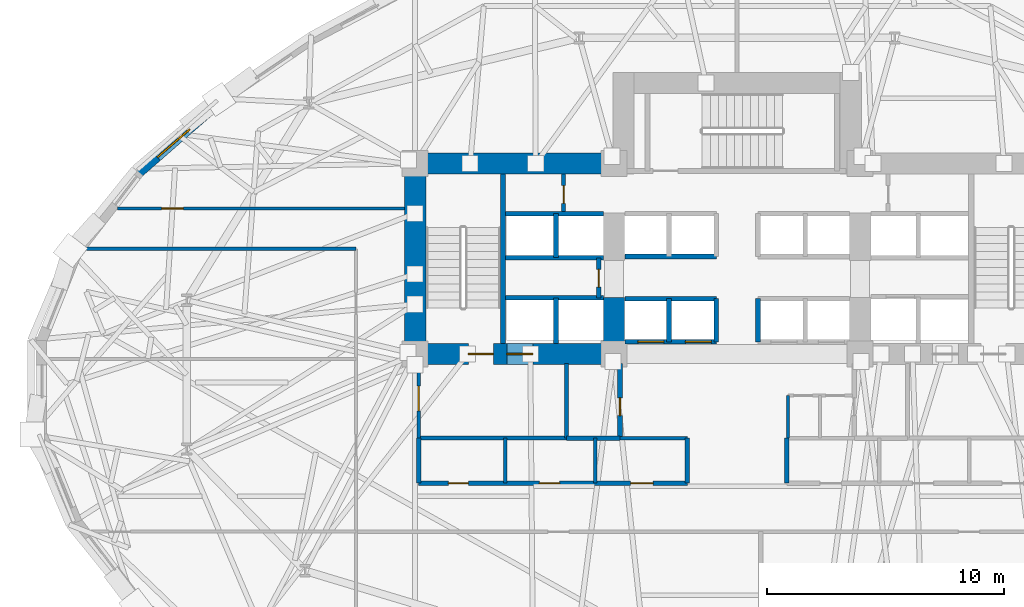
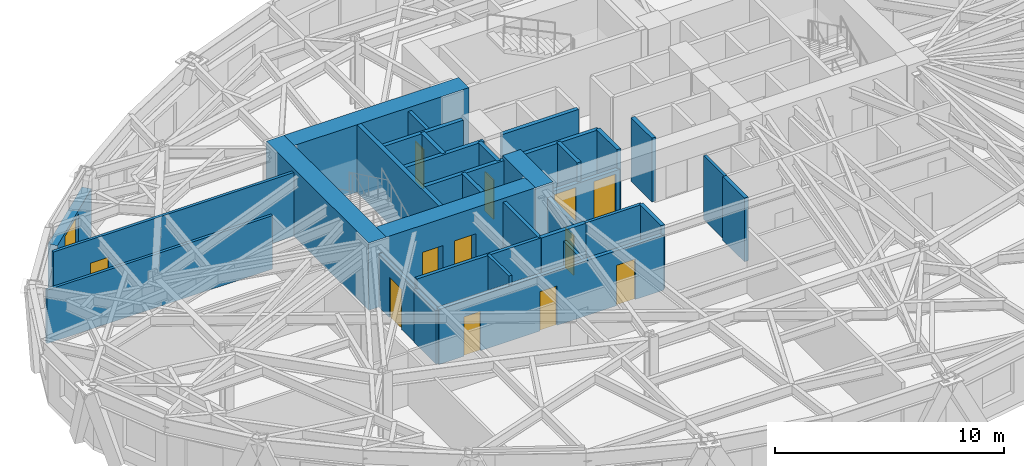
# One storey, part 7 of 14: 34 walls, 12 doors, 1 window, 13 openings.
"""IFC4 building model written with IfcOpenShell, lengths in metres."""

from ifc_helpers import new_model, si_unit, direction, frame, frame_2d, origin, place, context, subcontext, project, spatial, rectangle, extrude, material, layer, layer_set, type_object, element, fill, save


model = new_model("IFC4")

# Units and contexts
model_context = context("Model", 3, precision=1e-05, world=origin(), true_north=direction((0.0, 1.0)))
body_context = subcontext(model_context, "Body", "Model", "MODEL_VIEW")
ifc_project = project(units=[si_unit("LENGTHUNIT", "METRE"), si_unit("AREAUNIT", "SQUARE_METRE"), si_unit("VOLUMEUNIT", "CUBIC_METRE"), si_unit("PLANEANGLEUNIT", "RADIAN"), si_unit("MASSUNIT", "GRAM", prefix="KILO")], contexts=[model_context])

# Site, building, storey
site_placement = place(None, origin())
site = spatial("IfcSite", under=ifc_project, at=site_placement, CompositionType="ELEMENT")
building_placement = place(site_placement, origin())
building = spatial("IfcBuilding", under=site, at=building_placement, Name="Keldmark Tower", CompositionType="ELEMENT")
storey_placement = place(building_placement, frame((0.0, 0.0, 66.60009765625)))
storey = spatial("IfcBuildingStorey", under=building, at=storey_placement, Name="L17", CompositionType="ELEMENT", Elevation=66.60009765625)

# Wall, opening, door
ifc_material_1 = material(Name="Acoustic Double-Layer Gypsum Corridor Partition", Category="gypsum")
ifc_layer_1 = layer(ifc_material_1, 0.139892578125)
ifc_layer_set_1 = layer_set([ifc_layer_1], Name="Acoustic Double-Layer Gypsum Corridor Partition")
wall_type_1 = type_object("IfcWallType", Name="Acoustic Corridor Partition 140 mm", PredefinedType="PARTITIONING", material=ifc_layer_set_1)
wall_1_placement = place(storey_placement, frame((-26.167724609375, 7.550048828125, 0.0), z_axis=(0.0, 0.0, 1.0), x_axis=(1.0, 0.0, 0.0)))
wall_1 = element("IfcWall", 1, at=wall_1_placement, inside=storey, type_object=wall_type_1, Name="L17 Acoustic Corridor Partition 140 mm COR-WN-CAP", PredefinedType="PARTITIONING", context=body_context, shape_type="SweptSolid", body=[
    extrude(rectangle(XDim=12.11767578125, YDim=0.139892578125, at=frame_2d((6.058837890625, 0.0))), origin(), (0.0, 0.0, 1.0), 3.39990234375),
])
opening_1_placement = place(wall_1_placement, frame((1.85595703125, 0.0, 0.0)))
opening_1 = element("IfcOpeningElement", 2, at=opening_1_placement, cuts=wall_1, Name="Opening D-EX092", PredefinedType="OPENING", context=body_context, shape_type="SweptSolid", body=[
    extrude(rectangle(XDim=0.919921875, YDim=2.14990234375, at=frame_2d((0.4599609375, 1.074951171875))), frame((0.0, 0.079833984375, 0.0), z_axis=(0.0, -1.0, 0.0), x_axis=(1.0, 0.0, 0.0)), (0.0, 0.0, 1.0), 0.159912109375),
])
ifc_material_2 = material(Name="Flush American Ash Executive Office Door", Category="wood")
door_type_1 = type_object("IfcDoorType", Name="Executive Office Door 920x2150", OperationType="NOTDEFINED", PredefinedType="DOOR", material=ifc_material_2)
door_1_placement = place(opening_1_placement, origin())
door_1 = element("IfcDoor", 3, at=door_1_placement, inside=storey, type_object=door_type_1, Name="L17 Executive Office Door 920x2150 D-NRNW-L17", OperationType="SINGLE_SWING_LEFT", OverallHeight=2.14990234375, OverallWidth=0.919921875, PredefinedType="DOOR", context=body_context, shape_type="SweptSolid", body=[
    extrude(rectangle(XDim=0.919921875, YDim=2.14990234375, at=frame_2d((0.4599609375, 1.074951171875))), frame((0.0, 0.02490234375, 0.0), z_axis=(0.0, -1.0, 0.0), x_axis=(1.0, 0.0, 0.0)), (0.0, 0.0, 1.0), 0.050048828125),
])
fill(opening_1, door_1)

# Wall
wall_2_placement = place(storey_placement, frame((-27.478759765625, 5.85009765625, 0.0), z_axis=(0.0, 0.0, 1.0), x_axis=(1.0, 0.0, 0.0)))
element("IfcWall", 4, at=wall_2_placement, inside=storey, type_object=wall_type_1, Name="L17 Acoustic Corridor Partition 140 mm COR-WA-S", PredefinedType="PARTITIONING", context=body_context, shape_type="SweptSolid", body=[
    extrude(rectangle(XDim=11.378662109375, YDim=0.139892578125, at=frame_2d((5.689453125, 0.0))), origin(), (0.0, 0.0, 1.0), 2.852783203125),
])

# Wall, openings, doors
ifc_material_3 = material(Name="Heavy Acoustic Plumbing Chase Gypsum Assembly", Category="gypsum")
ifc_layer_2 = layer(ifc_material_3, 0.18994140625)
ifc_layer_set_2 = layer_set([ifc_layer_2], Name="Heavy Acoustic Plumbing Chase Gypsum Assembly")
wall_type_2 = type_object("IfcWallType", Name="Heavy Wet Wall 190 mm", PredefinedType="PLUMBINGWALL", material=ifc_layer_set_2)
wall_3_placement = place(storey_placement, frame((-13.449951171875, -4.050048828125, 0.0), z_axis=(0.0, 0.0, 1.0), x_axis=(1.0, 0.0, 0.0)))
wall_3 = element("IfcWall", 5, at=wall_3_placement, inside=storey, type_object=wall_type_2, Name="L17 Heavy Wet Wall 190 mm SPK-W-S", PredefinedType="PLUMBINGWALL", context=body_context, shape_type="SweptSolid", body=[
    extrude(rectangle(XDim=11.349853515625, YDim=0.18994140625, at=frame_2d((5.6748046875, 0.0))), origin(), (0.0, 0.0, 1.0), 2.932861328125),
])
opening_2_placement = place(wall_3_placement, frame((1.25, 0.0, 0.0)))
opening_2 = element("IfcOpeningElement", 6, at=opening_2_placement, cuts=wall_3, Name="Opening D-WC085", PredefinedType="OPENING", context=body_context, shape_type="SweptSolid", body=[
    extrude(rectangle(XDim=0.85009765625, YDim=2.10009765625, at=frame_2d((0.425048828125, 1.050048828125))), frame((0.0, 0.10498046875, 0.0), z_axis=(0.0, -1.0, 0.0), x_axis=(1.0, 0.0, 0.0)), (0.0, 0.0, 1.0), 0.2099609375),
])
opening_3_placement = place(wall_3_placement, frame((5.10009765625, 0.0, 0.0)))
opening_3 = element("IfcOpeningElement", 7, at=opening_3_placement, cuts=wall_3, Name="Opening D-WC085", PredefinedType="OPENING", context=body_context, shape_type="SweptSolid", body=[
    extrude(rectangle(XDim=0.85009765625, YDim=2.10009765625, at=frame_2d((0.425048828125, 1.050048828125))), frame((0.0, 0.10498046875, 0.0), z_axis=(0.0, -1.0, 0.0), x_axis=(1.0, 0.0, 0.0)), (0.0, 0.0, 1.0), 0.2099609375),
])
opening_4_placement = place(wall_3_placement, frame((8.949951171875, 0.0, 0.0)))
opening_4 = element("IfcOpeningElement", 8, at=opening_4_placement, cuts=wall_3, Name="Opening D-AWC95", PredefinedType="OPENING", context=body_context, shape_type="SweptSolid", body=[
    extrude(rectangle(XDim=0.949951171875, YDim=2.14990234375, at=frame_2d((0.47509765625, 1.074951171875))), frame((0.0, 0.10498046875, 0.0), z_axis=(0.0, -1.0, 0.0), x_axis=(1.0, 0.0, 0.0)), (0.0, 0.0, 1.0), 0.2099609375),
])
ifc_material_4 = material(Name="Painted Solid-Core Architectural Wood", Category="wood")
door_type_2 = type_object("IfcDoorType", Name="Accessible WC Door 950x2150", OperationType="NOTDEFINED", PredefinedType="DOOR", material=ifc_material_4)
door_2_placement = place(opening_4_placement, origin())
door_2 = element("IfcDoor", 9, at=door_2_placement, inside=storey, type_object=door_type_2, Name="L17 Accessible WC Door 950x2150 D-SPKW3-L17", OperationType="SINGLE_SWING_LEFT", OverallHeight=2.14990234375, OverallWidth=0.949951171875, PredefinedType="DOOR", context=body_context, shape_type="SweptSolid", body=[
    extrude(rectangle(XDim=0.949951171875, YDim=2.14990234375, at=frame_2d((0.47509765625, 1.074951171875))), frame((0.0, 0.02490234375, 0.0), z_axis=(0.0, -1.0, 0.0), x_axis=(1.0, 0.0, 0.0)), (0.0, 0.0, 1.0), 0.050048828125),
])
fill(opening_4, door_2)
ifc_material_5 = material(Name="Moisture-Sealed Painted Wood", Category="wood")
door_type_3 = type_object("IfcDoorType", Name="WC Door 850x2100", OperationType="NOTDEFINED", PredefinedType="DOOR", material=ifc_material_5)
door_3_placement = place(opening_2_placement, origin())
door_3 = element("IfcDoor", 10, at=door_3_placement, inside=storey, type_object=door_type_3, Name="L17 WC Door 850x2100 D-SPKW1-L17", OperationType="SINGLE_SWING_LEFT", OverallHeight=2.10009765625, OverallWidth=0.85009765625, PredefinedType="DOOR", context=body_context, shape_type="SweptSolid", body=[
    extrude(rectangle(XDim=0.85009765625, YDim=2.10009765625, at=frame_2d((0.425048828125, 1.050048828125))), frame((0.0, 0.02490234375, 0.0), z_axis=(0.0, -1.0, 0.0), x_axis=(1.0, 0.0, 0.0)), (0.0, 0.0, 1.0), 0.050048828125),
])
fill(opening_2, door_3)
door_4_placement = place(opening_3_placement, origin())
door_4 = element("IfcDoor", 11, at=door_4_placement, inside=storey, type_object=door_type_3, Name="L17 WC Door 850x2100 D-SPKW2-L17", OperationType="SINGLE_SWING_RIGHT", OverallHeight=2.10009765625, OverallWidth=0.85009765625, PredefinedType="DOOR", context=body_context, shape_type="SweptSolid", body=[
    extrude(rectangle(XDim=0.85009765625, YDim=2.10009765625, at=frame_2d((0.425048828125, 1.050048828125))), frame((0.0, 0.02490234375, 0.0), z_axis=(0.0, -1.0, 0.0), x_axis=(1.0, 0.0, 0.0)), (0.0, 0.0, 1.0), 0.050048828125),
])
fill(opening_3, door_4)

# Walls
wall_4_placement = place(storey_placement, frame((-13.449951171875, -4.050048828125, 0.0), z_axis=(0.0, 0.0, 1.0), x_axis=(0.0, 1.0, 0.0)))
element("IfcWall", 12, at=wall_4_placement, inside=storey, type_object=wall_type_2, Name="L17 Heavy Wet Wall 190 mm SPK-W-W", PredefinedType="PLUMBINGWALL", context=body_context, shape_type="SweptSolid", body=[
    extrude(rectangle(XDim=1.900146484375, YDim=0.18994140625, at=frame_2d((0.9501953125, 0.0))), origin(), (0.0, 0.0, 1.0), 2.852783203125),
])
for number, where, z_axis, x_axis, name in (
    (13, (-2.10009765625, -4.050048828125, 0.0), (0.0, 0.0, 1.0), (0.0, 1.0, 0.0), "L17 Heavy Wet Wall 190 mm SPK-W-E"),
    (14, (2.10009765625, -4.050048828125, 0.0), (0.0, 0.0, 1.0), (0.0, 1.0, 0.0), "L17 Heavy Wet Wall 190 mm SPK-E-W"),
):
    element("IfcWall", number, at=place(storey_placement, frame(where, z_axis=z_axis, x_axis=x_axis)), inside=storey, type_object=wall_type_2, Name=name, PredefinedType="PLUMBINGWALL", context=body_context, shape_type="SweptSolid", body=[
        extrude(rectangle(XDim=1.900146484375, YDim=0.18994140625, at=frame_2d((0.9501953125, 0.0))), origin(), (0.0, 0.0, 1.0), 3.39990234375),
    ])
ifc_material_6 = material(Name="Acoustic Gypsum Board Interior Partition", Category="gypsum")
ifc_layer_3 = layer(ifc_material_6, 0.1298828125)
ifc_layer_set_3 = layer_set([ifc_layer_3], Name="Acoustic Gypsum Board Interior Partition")
wall_type_3 = type_object("IfcWallType", Name="Interior Partition 130 mm", PredefinedType="PARTITIONING", material=ifc_layer_set_3)
wall_5_placement = place(storey_placement, frame((2.14990234375, -2.14990234375, 0.0), z_axis=(0.0, 0.0, 1.0), x_axis=(0.0, 1.0, 0.0)))
element("IfcWall", 15, at=wall_5_placement, inside=storey, type_object=wall_type_3, Name="L17 Interior Partition 130 mm CSC-E-W", PredefinedType="PARTITIONING", context=body_context, shape_type="SweptSolid", body=[
    extrude(rectangle(XDim=1.7998046875, YDim=0.1298828125, at=frame_2d((0.89990234375, 0.0))), origin(), (0.0, 0.0, 1.0), 3.39990234375),
])
ifc_material_7 = material(Name="Concrete C70/85", Category="concrete")
ifc_layer_4 = layer(ifc_material_7, 0.89990234375)
ifc_layer_set_4 = layer_set([ifc_layer_4], Name="Concrete C70/85")
wall_type_4 = type_object("IfcWallType", Name="Lower Core Shear Wall 900 mm", PredefinedType="SHEAR", material=ifc_layer_set_4)
wall_6_placement = place(storey_placement, frame((-13.60009765625, 0.949951171875, 0.0), z_axis=(0.0, 0.0, 1.0), x_axis=(0.0, 1.0, 0.0)))
element("IfcWall", 16, at=wall_6_placement, inside=storey, type_object=wall_type_4, Name="L17 West Core Outer Shear Wall", PredefinedType="SHEAR", context=body_context, shape_type="SweptSolid", body=[
    extrude(rectangle(XDim=8.949951171875, YDim=0.89990234375, at=frame_2d((4.47509765625, 0.0))), origin(), (0.0, 0.0, 1.0), 3.599853515625),
])
wall_7_placement = place(storey_placement, frame((-14.050048828125, 9.449951171875, 0.0), z_axis=(0.0, 0.0, 1.0), x_axis=(1.0, 0.0, 0.0)))
element("IfcWall", 17, at=wall_7_placement, inside=storey, type_object=wall_type_4, Name="L17 West Core North Shear Wall", PredefinedType="SHEAR", context=body_context, shape_type="SweptSolid", body=[
    extrude(rectangle(XDim=9.699951171875, YDim=0.89990234375, at=frame_2d((4.85009765625, 0.0))), origin(), (0.0, 0.0, 1.0), 3.599853515625),
])

# Wall, openings, doors
wall_8_placement = place(storey_placement, frame((-4.75, 1.39990234375, 0.0), z_axis=(0.0, 0.0, 1.0), x_axis=(-1.0, 0.0, 0.0)))
wall_8 = element("IfcWall", 18, at=wall_8_placement, inside=storey, type_object=wall_type_4, Name="L17 West Core South Shear Wall", PredefinedType="SHEAR", context=body_context, shape_type="SweptSolid", body=[
    extrude(rectangle(XDim=9.300048828125, YDim=0.89990234375, at=frame_2d((4.64990234375, 0.0))), origin(), (0.0, 0.0, 1.0), 3.599853515625),
])
opening_5_placement = place(wall_8_placement, frame((5.550048828125, 0.0, 0.0)))
opening_5 = element("IfcOpeningElement", 19, at=opening_5_placement, cuts=wall_8, Name="Opening D-ST105", PredefinedType="OPENING", context=body_context, shape_type="SweptSolid", body=[
    extrude(rectangle(XDim=1.050048828125, YDim=2.14990234375, at=frame_2d((0.52490234375, 1.074951171875))), frame((0.0, 0.4599609375, 0.0), z_axis=(0.0, -1.0, 0.0), x_axis=(1.0, 0.0, 0.0)), (0.0, 0.0, 1.0), 0.919921875),
])
opening_6_placement = place(wall_8_placement, frame((3.8798828125, 0.0, 0.0)))
opening_6 = element("IfcOpeningElement", 20, at=opening_6_placement, cuts=wall_8, Name="Opening LD-110", PredefinedType="OPENING", context=body_context, shape_type="SweptSolid", body=[
    extrude(rectangle(XDim=1.10009765625, YDim=2.199951171875, at=frame_2d((0.550048828125, 1.10009765625))), frame((0.0, 0.4599609375, 0.0), z_axis=(0.0, -1.0, 0.0), x_axis=(1.0, 0.0, 0.0)), (0.0, 0.0, 1.0), 0.919921875),
])
ifc_material_8 = material(Name="Brushed Bronze Hoistway Sliding Leaf", Category="metal")
door_type_4 = type_object("IfcDoorType", Name="Lift Landing Sliding Door 1100x2200", OperationType="SLIDING_TO_LEFT", PredefinedType="DOOR", material=ifc_material_8)
door_5_placement = place(opening_6_placement, origin())
door_5 = element("IfcDoor", 21, at=door_5_placement, inside=storey, type_object=door_type_4, Name="L17 Lift Landing Sliding Door 1100x2200 LD-EL-FS1-L17", OperationType="SLIDING_TO_LEFT", OverallHeight=2.199951171875, OverallWidth=1.10009765625, PredefinedType="DOOR", context=body_context, shape_type="SweptSolid", body=[
    extrude(rectangle(XDim=1.10009765625, YDim=2.199951171875, at=frame_2d((0.550048828125, 1.10009765625))), frame((0.0, 0.02490234375, 0.0), z_axis=(0.0, -1.0, 0.0), x_axis=(1.0, 0.0, 0.0)), (0.0, 0.0, 1.0), 0.050048828125),
])
fill(opening_6, door_5)
ifc_material_9 = material(Name="Hollow Metal Fire-Rated Door Assembly", Category="metal")
door_type_5 = type_object("IfcDoorType", Name="Stair Fire Door 1050x2150", OperationType="NOTDEFINED", PredefinedType="DOOR", material=ifc_material_9)
door_6_placement = place(opening_5_placement, origin())
door_6 = element("IfcDoor", 22, at=door_6_placement, inside=storey, type_object=door_type_5, Name="L17 Stair Fire Door 1050x2150 D-ST1-L17", OperationType="SINGLE_SWING_RIGHT", OverallHeight=2.14990234375, OverallWidth=1.050048828125, PredefinedType="DOOR", context=body_context, shape_type="SweptSolid", body=[
    extrude(rectangle(XDim=1.050048828125, YDim=2.14990234375, at=frame_2d((0.52490234375, 1.074951171875))), frame((0.0, 0.02490234375, 0.0), z_axis=(0.0, -1.0, 0.0), x_axis=(1.0, 0.0, 0.0)), (0.0, 0.0, 1.0), 0.050048828125),
])
fill(opening_5, door_6)

# Walls
wall_9_placement = place(storey_placement, frame((-5.199951171875, 0.949951171875, 0.0), z_axis=(0.0, 0.0, 1.0), x_axis=(0.0, 1.0, 0.0)))
element("IfcWall", 23, at=wall_9_placement, inside=storey, type_object=wall_type_4, Name="L17 West Core Inner Shear Pier South", PredefinedType="SHEAR", context=body_context, shape_type="SweptSolid", body=[
    extrude(rectangle(XDim=2.85009765625, YDim=0.89990234375, at=frame_2d((1.425048828125, 0.0))), origin(), (0.0, 0.0, 1.0), 3.599853515625),
])
ifc_material_10 = material(Name="Type X Fire-Rated Gypsum Partition Assembly", Category="gypsum")
ifc_layer_5 = layer(ifc_material_10, 0.1650390625)
ifc_layer_set_5 = layer_set([ifc_layer_5], Name="Type X Fire-Rated Gypsum Partition Assembly")
wall_type_5 = type_object("IfcWallType", Name="Rated Partition 165 mm", PredefinedType="PARTITIONING", material=ifc_layer_set_5)
wall_10_placement = place(storey_placement, frame((-13.449951171875, -2.14990234375, 0.0), z_axis=(0.0, 0.0, 1.0), x_axis=(1.0, 0.0, 0.0)))
element("IfcWall", 24, at=wall_10_placement, inside=storey, type_object=wall_type_5, Name="L17 Rated Partition 165 mm FSAE-W-S", PredefinedType="PARTITIONING", context=body_context, shape_type="SweptSolid", body=[
    extrude(rectangle(XDim=6.25, YDim=0.1650390625, at=frame_2d((3.125, 0.0))), origin(), (0.0, 0.0, 1.0), 3.39990234375),
])

# Wall, opening, door
wall_11_placement = place(storey_placement, frame((-13.449951171875, -2.14990234375, 0.0), z_axis=(0.0, 0.0, 1.0), x_axis=(0.0, 1.0, 0.0)))
wall_11 = element("IfcWall", 25, at=wall_11_placement, inside=storey, type_object=wall_type_5, Name="L17 Rated Partition 165 mm FSAE-W-W", PredefinedType="PARTITIONING", context=body_context, shape_type="SweptSolid", body=[
    extrude(rectangle(XDim=3.14990234375, YDim=0.1650390625, at=frame_2d((1.574951171875, 0.0))), origin(), (0.0, 0.0, 1.0), 2.852783203125),
])
opening_7_placement = place(wall_11_placement, frame((1.14990234375, 0.0, 0.0)))
opening_7 = element("IfcOpeningElement", 26, at=opening_7_placement, cuts=wall_11, Name="Opening D-FL105", PredefinedType="OPENING", context=body_context, shape_type="SweptSolid", body=[
    extrude(rectangle(XDim=1.050048828125, YDim=2.14990234375, at=frame_2d((0.52490234375, 1.074951171875))), frame((0.0, 0.092529296875, 0.0), z_axis=(0.0, -1.0, 0.0), x_axis=(1.0, 0.0, 0.0)), (0.0, 0.0, 1.0), 0.18505859375),
])
ifc_material_11 = material(Name="Fire-Rated Mineral-Core Door and Vision Lite", Category="metal")
door_type_6 = type_object("IfcDoorType", Name="Fire Lobby Door 1050x2150", OperationType="NOTDEFINED", PredefinedType="DOOR", material=ifc_material_11)
door_7_placement = place(opening_7_placement, origin())
door_7 = element("IfcDoor", 27, at=door_7_placement, inside=storey, type_object=door_type_6, Name="L17 Fire Lobby Door 1050x2150 D-FSAEW-OUT-L17", OperationType="SINGLE_SWING_LEFT", OverallHeight=2.14990234375, OverallWidth=1.050048828125, PredefinedType="DOOR", context=body_context, shape_type="SweptSolid", body=[
    extrude(rectangle(XDim=1.050048828125, YDim=2.14990234375, at=frame_2d((0.52490234375, 1.074951171875))), frame((0.0, 0.02490234375, 0.0), z_axis=(0.0, -1.0, 0.0), x_axis=(1.0, 0.0, 0.0)), (0.0, 0.0, 1.0), 0.050048828125),
])
fill(opening_7, door_7)

# Wall
wall_12_placement = place(storey_placement, frame((-7.199951171875, -2.14990234375, 0.0), z_axis=(0.0, 0.0, 1.0), x_axis=(0.0, 1.0, 0.0)))
element("IfcWall", 28, at=wall_12_placement, inside=storey, type_object=wall_type_5, Name="L17 Rated Partition 165 mm FSAE-W-E", PredefinedType="PARTITIONING", context=body_context, shape_type="SweptSolid", body=[
    extrude(rectangle(XDim=3.14990234375, YDim=0.1650390625, at=frame_2d((1.574951171875, 0.0))), origin(), (0.0, 0.0, 1.0), 3.39990234375),
])

# Wall, opening, door
wall_13_placement = place(storey_placement, frame((-7.330078125, 7.419921875, 0.0), z_axis=(0.0, 0.0, 1.0), x_axis=(0.0, 1.0, 0.0)))
wall_13 = element("IfcWall", 29, at=wall_13_placement, inside=storey, type_object=wall_type_5, Name="L17 Rated Partition 165 mm CS-NW-E", PredefinedType="PARTITIONING", context=body_context, shape_type="SweptSolid", body=[
    extrude(rectangle(XDim=1.580078125, YDim=0.1650390625, at=frame_2d((0.7900390625, 0.0))), origin(), (0.0, 0.0, 1.0), 3.39990234375),
])
opening_8_placement = place(wall_13_placement, frame((0.35009765625, 0.0, 0.0)))
opening_8 = element("IfcOpeningElement", 30, at=opening_8_placement, cuts=wall_13, Name="Opening D-RS075", PredefinedType="OPENING", context=body_context, shape_type="SweptSolid", body=[
    extrude(rectangle(XDim=0.75, YDim=2.10009765625, at=frame_2d((0.375, 1.050048828125))), frame((0.0, 0.092529296875, 0.0), z_axis=(0.0, -1.0, 0.0), x_axis=(1.0, 0.0, 0.0)), (0.0, 0.0, 1.0), 0.18505859375),
])
ifc_material_12 = material(Name="Galvanized Fire-Rated Access Leaf", Category="metal")
door_type_7 = type_object("IfcDoorType", Name="Riser Access Door 750x2100", OperationType="NOTDEFINED", PredefinedType="DOOR", material=ifc_material_12)
door_8_placement = place(opening_8_placement, origin())
door_8 = element("IfcDoor", 31, at=door_8_placement, inside=storey, type_object=door_type_7, Name="L17 Riser Access Door 750x2100 D-CSNW1-L17", OperationType="SINGLE_SWING_RIGHT", OverallHeight=2.10009765625, OverallWidth=0.75, PredefinedType="DOOR", context=body_context, shape_type="SweptSolid", body=[
    extrude(rectangle(XDim=0.75, YDim=2.10009765625, at=frame_2d((0.375, 1.050048828125))), frame((0.0, 0.02490234375, 0.0), z_axis=(0.0, -1.0, 0.0), x_axis=(1.0, 0.0, 0.0)), (0.0, 0.0, 1.0), 0.050048828125),
])
fill(opening_8, door_8)

# Wall
ifc_material_13 = material(Name="Fire-Resistant Type X Gypsum Shaftliner Coreboard", Category="gypsum")
ifc_layer_6 = layer(ifc_material_13, 0.199951171875)
ifc_layer_set_6 = layer_set([ifc_layer_6], Name="Fire-Resistant Type X Gypsum Shaftliner Coreboard")
wall_type_6 = type_object("IfcWallType", Name="Shaft Wall 200 mm", PredefinedType="SOLIDWALL", material=ifc_layer_set_6)
wall_14_placement = place(storey_placement, frame((-7.199951171875, -2.14990234375, 0.0), z_axis=(0.0, 0.0, 1.0), x_axis=(1.0, 0.0, 0.0)))
element("IfcWall", 32, at=wall_14_placement, inside=storey, type_object=wall_type_6, Name="L17 Shaft Wall 200 mm RIS-SW-S", PredefinedType="SOLIDWALL", context=body_context, shape_type="SweptSolid", body=[
    extrude(rectangle(XDim=2.25, YDim=0.199951171875, at=frame_2d((1.125, 0.0))), origin(), (0.0, 0.0, 1.0), 3.39990234375),
])

# Wall, opening, door
wall_15_placement = place(storey_placement, frame((-4.949951171875, -2.14990234375, 0.0), z_axis=(0.0, 0.0, 1.0), x_axis=(0.0, 1.0, 0.0)))
wall_15 = element("IfcWall", 33, at=wall_15_placement, inside=storey, type_object=wall_type_6, Name="L17 Shaft Wall 200 mm RIS-SW-E", PredefinedType="SOLIDWALL", context=body_context, shape_type="SweptSolid", body=[
    extrude(rectangle(XDim=3.14990234375, YDim=0.199951171875, at=frame_2d((1.574951171875, 0.0))), origin(), (0.0, 0.0, 1.0), 2.852783203125),
])
opening_9_placement = place(wall_15_placement, frame((0.949951171875, 0.0, 0.0)))
opening_9 = element("IfcOpeningElement", 34, at=opening_9_placement, cuts=wall_15, Name="Opening D-RS075", PredefinedType="OPENING", context=body_context, shape_type="SweptSolid", body=[
    extrude(rectangle(XDim=0.75, YDim=2.10009765625, at=frame_2d((0.375, 1.050048828125))), frame((0.0, 0.10986328125, 0.0), z_axis=(0.0, -1.0, 0.0), x_axis=(1.0, 0.0, 0.0)), (0.0, 0.0, 1.0), 0.219970703125),
])
door_9_placement = place(opening_9_placement, origin())
door_9 = element("IfcDoor", 35, at=door_9_placement, inside=storey, type_object=door_type_7, Name="L17 Riser Access Door 750x2100 D-RISSW-L17", OperationType="SINGLE_SWING_RIGHT", OverallHeight=2.10009765625, OverallWidth=0.75, PredefinedType="DOOR", context=body_context, shape_type="SweptSolid", body=[
    extrude(rectangle(XDim=0.75, YDim=2.10009765625, at=frame_2d((0.375, 1.050048828125))), frame((0.0, 0.02490234375, 0.0), z_axis=(0.0, -1.0, 0.0), x_axis=(1.0, 0.0, 0.0)), (0.0, 0.0, 1.0), 0.050048828125),
])
fill(opening_9, door_9)

# Walls
wall_16_placement = place(storey_placement, frame((-9.780029296875, 3.780029296875, 0.0), z_axis=(0.0, 0.0, 1.0), x_axis=(1.0, 0.0, 0.0)))
element("IfcWall", 36, at=wall_16_placement, inside=storey, type_object=wall_type_6, Name="L17 Shaft Wall 200 mm HW-W-S", PredefinedType="SOLIDWALL", context=body_context, shape_type="SweptSolid", body=[
    extrude(rectangle(XDim=4.130126953125, YDim=0.199951171875, at=frame_2d((2.06494140625, 0.0))), origin(), (0.0, 0.0, 1.0), 3.39990234375),
])
wall_17_placement = place(storey_placement, frame((-7.64990234375, 1.85009765625, 0.0), z_axis=(0.0, 0.0, 1.0), x_axis=(0.0, 1.0, 0.0)))
element("IfcWall", 37, at=wall_17_placement, inside=storey, type_object=wall_type_6, Name="L17 Shaft Wall 200 mm HW-W-M", PredefinedType="SOLIDWALL", context=body_context, shape_type="SweptSolid", body=[
    extrude(rectangle(XDim=1.929931640625, YDim=0.199951171875, at=frame_2d((0.96484375, 0.0))), origin(), (0.0, 0.0, 1.0), 3.39990234375),
])
for number, where, z_axis, x_axis, name in (
    (38, (-9.780029296875, 5.469970703125, 0.0), (0.0, 0.0, 1.0), (1.0, 0.0, 0.0), "L17 Shaft Wall 200 mm HW-W-N"),
    (39, (-9.780029296875, 7.330078125, 0.0), (0.0, 0.0, 1.0), (1.0, 0.0, 0.0), "L17 Shaft Wall 200 mm HW-W-TOP"),
):
    element("IfcWall", number, at=place(storey_placement, frame(where, z_axis=z_axis, x_axis=x_axis)), inside=storey, type_object=wall_type_6, Name=name, PredefinedType="SOLIDWALL", context=body_context, shape_type="SweptSolid", body=[
        extrude(rectangle(XDim=4.130126953125, YDim=0.199951171875, at=frame_2d((2.06494140625, 0.0))), origin(), (0.0, 0.0, 1.0), 3.39990234375),
    ])
wall_18_placement = place(storey_placement, frame((-7.64990234375, 5.469970703125, 0.0), z_axis=(0.0, 0.0, 1.0), x_axis=(0.0, 1.0, 0.0)))
element("IfcWall", 40, at=wall_18_placement, inside=storey, type_object=wall_type_6, Name="L17 Shaft Wall 200 mm HW-W-NM", PredefinedType="SOLIDWALL", context=body_context, shape_type="SweptSolid", body=[
    extrude(rectangle(XDim=1.860107421875, YDim=0.199951171875, at=frame_2d((0.93017578125, 0.0))), origin(), (0.0, 0.0, 1.0), 3.39990234375),
])

# Wall, opening, door
wall_19_placement = place(storey_placement, frame((-5.85009765625, 3.780029296875, 0.0), z_axis=(0.0, 0.0, 1.0), x_axis=(0.0, 1.0, 0.0)))
wall_19 = element("IfcWall", 41, at=wall_19_placement, inside=storey, type_object=wall_type_6, Name="L17 Shaft Wall 200 mm HW-W-CLOSE", PredefinedType="SOLIDWALL", context=body_context, shape_type="SweptSolid", body=[
    extrude(rectangle(XDim=1.68994140625, YDim=0.199951171875, at=frame_2d((0.844970703125, 0.0))), origin(), (0.0, 0.0, 1.0), 3.39990234375),
])
opening_10_placement = place(wall_19_placement, frame((0.449951171875, 0.0, 0.0)))
opening_10 = element("IfcOpeningElement", 42, at=opening_10_placement, cuts=wall_19, Name="Opening D-RS075", PredefinedType="OPENING", context=body_context, shape_type="SweptSolid", body=[
    extrude(rectangle(XDim=0.75, YDim=2.10009765625, at=frame_2d((0.375, 1.050048828125))), frame((0.0, 0.10986328125, 0.0), z_axis=(0.0, -1.0, 0.0), x_axis=(1.0, 0.0, 0.0)), (0.0, 0.0, 1.0), 0.219970703125),
])
door_10_placement = place(opening_10_placement, origin())
door_10 = element("IfcDoor", 43, at=door_10_placement, inside=storey, type_object=door_type_7, Name="L17 Riser Access Door 750x2100 D-RISHW-L17", OperationType="SINGLE_SWING_RIGHT", OverallHeight=2.10009765625, OverallWidth=0.75, PredefinedType="DOOR", context=body_context, shape_type="SweptSolid", body=[
    extrude(rectangle(XDim=0.75, YDim=2.10009765625, at=frame_2d((0.375, 1.050048828125))), frame((0.0, 0.02490234375, 0.0), z_axis=(0.0, -1.0, 0.0), x_axis=(1.0, 0.0, 0.0)), (0.0, 0.0, 1.0), 0.050048828125),
])
fill(opening_10, door_10)

# Wall, openings, doors
wall_20_placement = place(storey_placement, frame((-4.739990234375, 1.919921875, 0.0), z_axis=(0.0, 0.0, 1.0), x_axis=(1.0, 0.0, 0.0)))
wall_20 = element("IfcWall", 44, at=wall_20_placement, inside=storey, type_object=wall_type_6, Name="L17 Shaft Wall 200 mm LOW-S-W", PredefinedType="SOLIDWALL", context=body_context, shape_type="SweptSolid", body=[
    extrude(rectangle(XDim=3.860107421875, YDim=0.199951171875, at=frame_2d((1.93017578125, 0.0))), origin(), (0.0, 0.0, 1.0), 2.389892578125),
])
opening_11_placement = place(wall_20_placement, frame((0.550048828125, 0.0, 0.0)))
opening_11 = element("IfcOpeningElement", 45, at=opening_11_placement, cuts=wall_20, Name="Opening LD-110", PredefinedType="OPENING", context=body_context, shape_type="SweptSolid", body=[
    extrude(rectangle(XDim=1.10009765625, YDim=2.199951171875, at=frame_2d((0.550048828125, 1.10009765625))), frame((0.0, 0.10986328125, 0.0), z_axis=(0.0, -1.0, 0.0), x_axis=(1.0, 0.0, 0.0)), (0.0, 0.0, 1.0), 0.219970703125),
])
opening_12_placement = place(wall_20_placement, frame((2.550048828125, 0.0, 0.0)))
opening_12 = element("IfcOpeningElement", 46, at=opening_12_placement, cuts=wall_20, Name="Opening LD-110", PredefinedType="OPENING", context=body_context, shape_type="SweptSolid", body=[
    extrude(rectangle(XDim=1.10009765625, YDim=2.199951171875, at=frame_2d((0.550048828125, 1.10009765625))), frame((0.0, 0.10986328125, 0.0), z_axis=(0.0, -1.0, 0.0), x_axis=(1.0, 0.0, 0.0)), (0.0, 0.0, 1.0), 0.219970703125),
])
door_11_placement = place(opening_11_placement, origin())
door_11 = element("IfcDoor", 47, at=door_11_placement, inside=storey, type_object=door_type_4, Name="L17 Lift Landing Sliding Door 1100x2200 LD-EL-L1-L17", OperationType="SLIDING_TO_LEFT", OverallHeight=2.199951171875, OverallWidth=1.10009765625, PredefinedType="DOOR", context=body_context, shape_type="SweptSolid", body=[
    extrude(rectangle(XDim=1.10009765625, YDim=2.199951171875, at=frame_2d((0.550048828125, 1.10009765625))), frame((0.0, 0.02490234375, 0.0), z_axis=(0.0, -1.0, 0.0), x_axis=(1.0, 0.0, 0.0)), (0.0, 0.0, 1.0), 0.050048828125),
])
fill(opening_11, door_11)
door_12_placement = place(opening_12_placement, origin())
door_12 = element("IfcDoor", 48, at=door_12_placement, inside=storey, type_object=door_type_4, Name="L17 Lift Landing Sliding Door 1100x2200 LD-EL-L2-L17", OperationType="SLIDING_TO_LEFT", OverallHeight=2.199951171875, OverallWidth=1.10009765625, PredefinedType="DOOR", context=body_context, shape_type="SweptSolid", body=[
    extrude(rectangle(XDim=1.10009765625, YDim=2.199951171875, at=frame_2d((0.550048828125, 1.10009765625))), frame((0.0, 0.02490234375, 0.0), z_axis=(0.0, -1.0, 0.0), x_axis=(1.0, 0.0, 0.0)), (0.0, 0.0, 1.0), 0.050048828125),
])
fill(opening_12, door_12)

# Walls
wall_21_placement = place(storey_placement, frame((-4.739990234375, 3.739990234375, 0.0), z_axis=(0.0, 0.0, 1.0), x_axis=(1.0, 0.0, 0.0)))
element("IfcWall", 49, at=wall_21_placement, inside=storey, type_object=wall_type_6, Name="L17 Shaft Wall 200 mm LOW-N-W", PredefinedType="SOLIDWALL", context=body_context, shape_type="SweptSolid", body=[
    extrude(rectangle(XDim=3.860107421875, YDim=0.199951171875, at=frame_2d((1.93017578125, 0.0))), origin(), (0.0, 0.0, 1.0), 3.39990234375),
])
for number, where, z_axis, x_axis, name in (
    (50, (-2.8798828125, 1.919921875, 0.0), (0.0, 0.0, 1.0), (0.0, 1.0, 0.0), "L17 Shaft Wall 200 mm LOW-M-W"),
    (51, (-0.8798828125, 1.919921875, 0.0), (0.0, 0.0, 1.0), (0.0, 1.0, 0.0), "L17 Shaft Wall 200 mm LOW-C-W"),
    (52, (0.8798828125, 1.919921875, 0.0), (0.0, 0.0, 1.0), (0.0, 1.0, 0.0), "L17 Shaft Wall 200 mm LOW-C-E"),
):
    element("IfcWall", number, at=place(storey_placement, frame(where, z_axis=z_axis, x_axis=x_axis)), inside=storey, type_object=wall_type_6, Name=name, PredefinedType="SOLIDWALL", context=body_context, shape_type="SweptSolid", body=[
        extrude(rectangle(XDim=1.820068359375, YDim=0.199951171875, at=frame_2d((0.91015625, 0.0))), origin(), (0.0, 0.0, 1.0), 3.39990234375),
    ])
wall_22_placement = place(storey_placement, frame((-4.739990234375, 5.52001953125, 0.0), z_axis=(0.0, 0.0, 1.0), x_axis=(1.0, 0.0, 0.0)))
element("IfcWall", 53, at=wall_22_placement, inside=storey, type_object=wall_type_6, Name="L17 Shaft Wall 200 mm MID-S-W", PredefinedType="SOLIDWALL", context=body_context, shape_type="SweptSolid", body=[
    extrude(rectangle(XDim=3.860107421875, YDim=0.199951171875, at=frame_2d((1.93017578125, 0.0))), origin(), (0.0, 0.0, 1.0), 3.39990234375),
])
ifc_material_14 = material(Name="Concrete C50/60", Category="concrete")
ifc_layer_7 = layer(ifc_material_14, 0.219970703125)
ifc_layer_set_7 = layer_set([ifc_layer_7], Name="Concrete C50/60")
wall_type_7 = type_object("IfcWallType", Name="Stair Core Shear Wall 220 mm", PredefinedType="SHEAR", material=ifc_layer_set_7)
wall_23_placement = place(storey_placement, frame((-9.889892578125, 1.85009765625, 0.0), z_axis=(0.0, 0.0, 1.0), x_axis=(0.0, 1.0, 0.0)))
element("IfcWall", 54, at=wall_23_placement, inside=storey, type_object=wall_type_7, Name="L17 West Stair Core Shear Wall", PredefinedType="SHEAR", context=body_context, shape_type="SweptSolid", body=[
    extrude(rectangle(XDim=7.14990234375, YDim=0.219970703125, at=frame_2d((3.574951171875, 0.0))), origin(), (0.0, 0.0, 1.0), 3.599853515625),
])

# Wall, opening, window
ifc_material_15 = material(Name="Ironspot Manganese Brick and Kasota Buff Limestone Spandrel Assembly", Category="masonry")
ifc_layer_8 = layer(ifc_material_15, 0.43994140625)
ifc_layer_set_8 = layer_set([ifc_layer_8], Name="Ironspot Manganese Brick and Kasota Buff Limestone Spandrel Assembly")
wall_type_8 = type_object("IfcWallType", Name="Tower Brick Pier and Spandrel Wall 440 mm", PredefinedType="STANDARD", material=ifc_layer_set_8)
wall_24_placement = place(storey_placement, frame((-25.299560546875, 9.055908203125, 0.0), z_axis=(0.0, 0.0, 1.0), x_axis=(0.753064762529, 0.657946398605, 0.0)))
wall_24 = element("IfcWall", 55, at=wall_24_placement, inside=storey, type_object=wall_type_8, Name="L17 Exterior Brick and Spandrel Wall 13", PredefinedType="STANDARD", context=body_context, shape_type="SweptSolid", body=[
    extrude(rectangle(XDim=4.584228515625, YDim=0.43994140625, at=frame_2d((2.2919921875, 0.0))), origin(), (0.0, 0.0, 1.0), 2.52880859375),
])
opening_13_placement = place(wall_24_placement, frame((1.04443359375, 0.0, 0.64990234375)))
opening_13 = element("IfcOpeningElement", 56, at=opening_13_placement, cuts=wall_24, Name="Opening W-02", PredefinedType="OPENING", context=body_context, shape_type="SweptSolid", body=[
    extrude(rectangle(XDim=1.800048828125, YDim=1.699951171875, at=frame_2d((0.89990234375, 0.85009765625))), frame((0.0, 0.22998046875, 0.0), z_axis=(0.0, -1.0, 0.0), x_axis=(1.0, 0.0, 0.0)), (0.0, 0.0, 1.0), 0.4599609375),
])
ifc_material_16 = material(Name="Thermally Broken Anodized Aluminum and Triple Low-E Argon Glazing", Category="aluminium")
window_type = type_object("IfcWindowType", Name="Office Deep-Set Triple Window 1800x1700", PartitioningType="TRIPLE_PANEL_VERTICAL", PredefinedType="WINDOW", material=ifc_material_16)
window_placement = place(opening_13_placement, origin())
window = element("IfcWindow", 57, at=window_placement, inside=storey, type_object=window_type, Name="L17 Deep-Set Window 13", OverallHeight=1.699951171875, OverallWidth=1.800048828125, PartitioningType="SINGLE_PANEL", PredefinedType="WINDOW", context=body_context, shape_type="SweptSolid", body=[
    extrude(rectangle(XDim=1.800048828125, YDim=1.699951171875, at=frame_2d((0.89990234375, 0.85009765625))), frame((0.0, -0.010009765625, 0.0), z_axis=(0.0, -1.0, 0.0), x_axis=(1.0, 0.0, 0.0)), (0.0, 0.0, 1.0), 0.06005859375),
])
fill(opening_13, window)

# Walls
ifc_material_17 = material(Name="Moisture-Resistant Gypsum Plumbing Partition", Category="gypsum")
ifc_layer_9 = layer(ifc_material_17, 0.14990234375)
ifc_layer_set_9 = layer_set([ifc_layer_9], Name="Moisture-Resistant Gypsum Plumbing Partition")
wall_type_9 = type_object("IfcWallType", Name="Wet Wall 150 mm", PredefinedType="PLUMBINGWALL", material=ifc_layer_set_9)
wall_25_placement = place(storey_placement, frame((-4.949951171875, -2.14990234375, 0.0), z_axis=(0.0, 0.0, 1.0), x_axis=(1.0, 0.0, 0.0)))
element("IfcWall", 58, at=wall_25_placement, inside=storey, type_object=wall_type_9, Name="L17 Wet Wall 150 mm SPK-W-N", PredefinedType="PLUMBINGWALL", context=body_context, shape_type="SweptSolid", body=[
    extrude(rectangle(XDim=2.849853515625, YDim=0.14990234375, at=frame_2d((1.4248046875, 0.0))), origin(), (0.0, 0.0, 1.0), 3.39990234375),
])
wall_26_placement = place(storey_placement, frame((-9.800048828125, -4.050048828125, 0.0), z_axis=(0.0, 0.0, 1.0), x_axis=(0.0, 1.0, 0.0)))
element("IfcWall", 59, at=wall_26_placement, inside=storey, type_object=wall_type_9, Name="L17 Wet Wall 150 mm SPK-W-D1", PredefinedType="PLUMBINGWALL", context=body_context, shape_type="SweptSolid", body=[
    extrude(rectangle(XDim=1.900146484375, YDim=0.14990234375, at=frame_2d((0.9501953125, 0.0))), origin(), (0.0, 0.0, 1.0), 3.39990234375),
])
wall_27_placement = place(storey_placement, frame((-6.0, -4.050048828125, 0.0), z_axis=(0.0, 0.0, 1.0), x_axis=(0.0, 1.0, 0.0)))
element("IfcWall", 60, at=wall_27_placement, inside=storey, type_object=wall_type_9, Name="L17 Wet Wall 150 mm SPK-W-D2", PredefinedType="PLUMBINGWALL", context=body_context, shape_type="SweptSolid", body=[
    extrude(rectangle(XDim=1.900146484375, YDim=0.14990234375, at=frame_2d((0.9501953125, 0.0))), origin(), (0.0, 0.0, 1.0), 2.8408203125),
])

save(model, "model.ifc")
